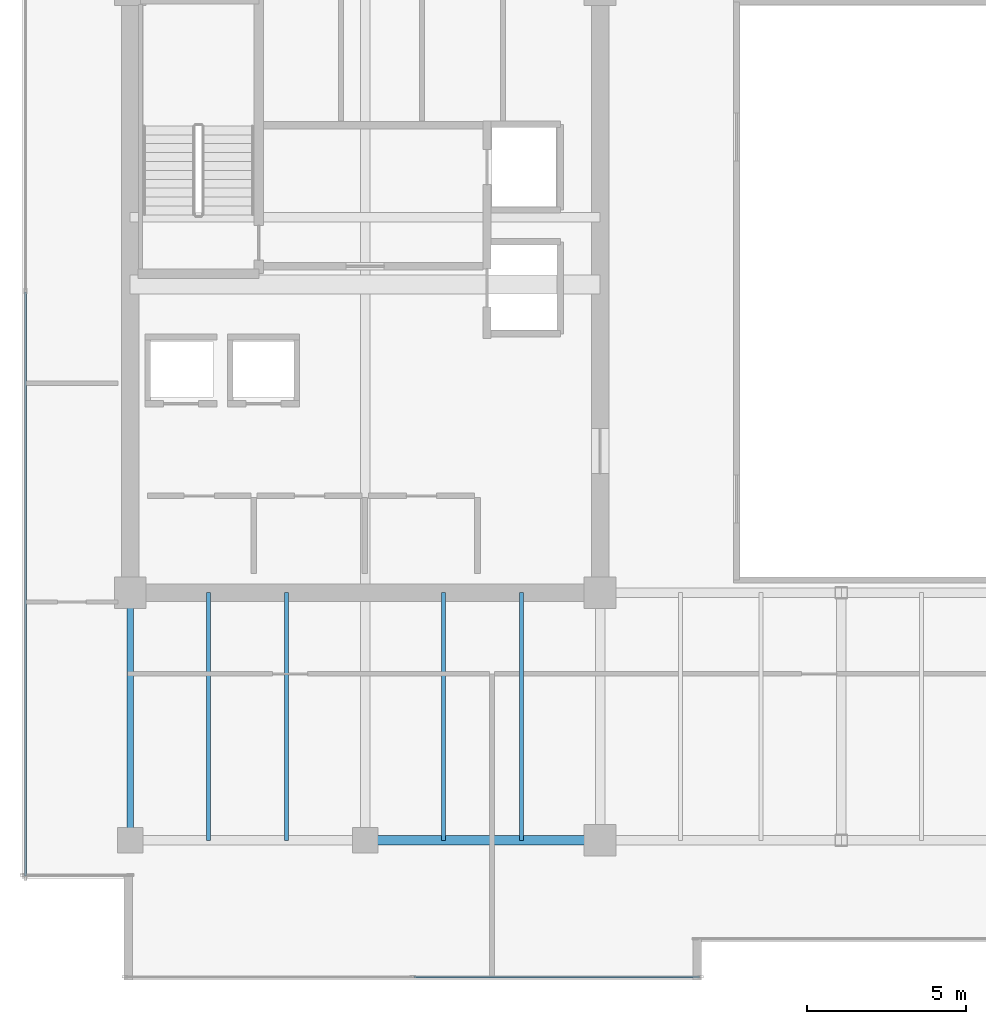
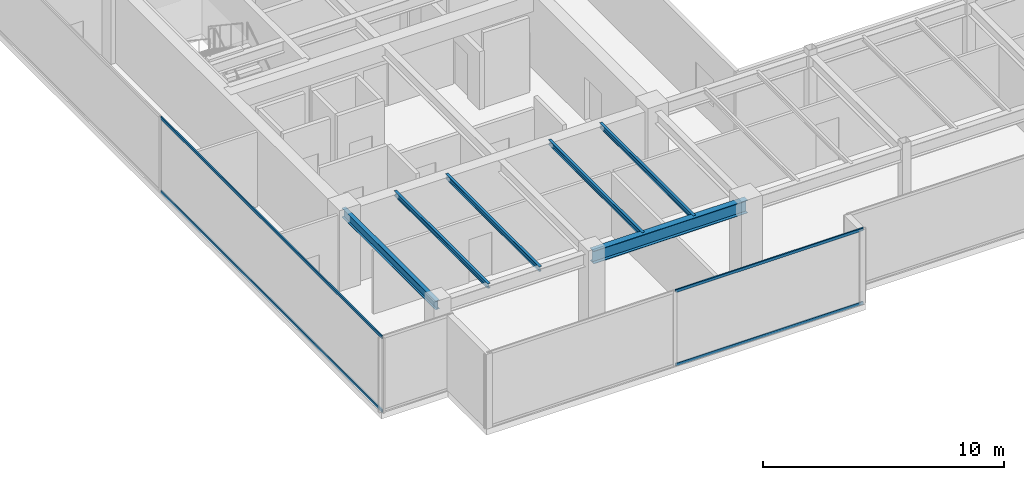
# One storey, part 6 of 33: 6 beams, 4 members, 2 elements without a shape of their own.
"""IFC4 building model written with IfcOpenShell, lengths in metres."""

import ifcopenshell
import ifcopenshell.guid

model = None  # the IFC model being written
_history = None  # IfcOwnerHistory: only IFC2X3 demands one
_inside = {}  # id of a spatial element -> (the spatial element, [elements in it])
_under = {}  # id of a project, library or spatial element -> (it, [spatial elements below it])
_declared = {}  # id of a project -> (the project, [libraries it declares])
_typed = {}  # id of a type object -> (the type object, [elements of that type])
_made_of = {}  # id of a material, layer set ... -> (it, [elements and type objects made of it])


def new_model(schema):
    """Start an empty IFC model of exactly this schema.

    Asked for "IFC4X3", IfcOpenShell would pick the latest addendum, in which some entities
    have other attributes; the version numbers below select the first issue.
    IFC2X3 requires an IfcOwnerHistory on every rooted entity: one is made here for all.
    """
    global model, _history
    if schema == "IFC4X3":
        model = ifcopenshell.file(schema_version=(4, 3, 0, 0))
    else:
        model = ifcopenshell.file(schema=schema)
    _inside.clear()
    _under.clear()
    _declared.clear()
    _typed.clear()
    _made_of.clear()
    _history = None
    if model.schema == "IFC2X3":
        org = make("IfcOrganization", Name="unknown")
        user = make(
            "IfcPersonAndOrganization",
            ThePerson=make("IfcPerson", FamilyName="unknown"),
            TheOrganization=org,
        )
        app = make(
            "IfcApplication",
            ApplicationDeveloper=org,
            Version="unknown",
            ApplicationFullName="unknown",
            ApplicationIdentifier="unknown",
        )
        _history = make(
            "IfcOwnerHistory",
            OwningUser=user,
            OwningApplication=app,
            ChangeAction="ADDED",
            CreationDate=0,
        )
    return model


def make(cls, **values):
    """One entity of the class cls with the attributes given. An attribute that is None is left unset."""
    return model.create_entity(
        cls, **{name: value for name, value in values.items() if value is not None}
    )


def rooted(cls, **values):
    """An entity with a GlobalId (a new one), such as an element, a storey or a relation."""
    return make(cls, GlobalId=ifcopenshell.guid.new(), OwnerHistory=_history, **values)


def si_unit(unit_type, name, prefix=None):
    """IfcSIUnit, for example si_unit("LENGTHUNIT", "METRE", prefix="MILLI")."""
    return make("IfcSIUnit", UnitType=unit_type, Prefix=prefix, Name=name)


def assignment(units):
    """IfcUnitAssignment: the units of a project."""
    return None if units is None else make("IfcUnitAssignment", Units=units)


def point(xyz):
    """IfcCartesianPoint."""
    return None if xyz is None else make("IfcCartesianPoint", Coordinates=xyz)


def direction(xyz):
    """IfcDirection."""
    return None if xyz is None else make("IfcDirection", DirectionRatios=xyz)


def frame(location, z_axis=None, x_axis=None):
    """IfcAxis2Placement3D, a coordinate frame: its origin and axes. An axis left out is left unset."""
    return make(
        "IfcAxis2Placement3D",
        Location=point(location),
        Axis=direction(z_axis),
        RefDirection=direction(x_axis),
    )


def frame_2d(location, x_axis=None):
    """IfcAxis2Placement2D, a coordinate frame in the plane: its origin and x axis."""
    return make(
        "IfcAxis2Placement2D", Location=point(location), RefDirection=direction(x_axis)
    )


def origin():
    """The frame at (0, 0, 0) with its axes left unset."""
    return frame((0.0, 0.0, 0.0))


def origin_2d():
    """The frame at (0, 0) in the plane with its x axis left unset."""
    return frame_2d((0.0, 0.0))


def place(relative_to, where):
    """IfcLocalPlacement: puts the frame where relative to a parent placement (None: the world)."""
    return make(
        "IfcLocalPlacement", PlacementRelTo=relative_to, RelativePlacement=where
    )


def context(
    kind, dimensions, precision=None, world=None, true_north=None, identifier=None
):
    """IfcGeometricRepresentationContext, for example the 3D "Model" context."""
    return make(
        "IfcGeometricRepresentationContext",
        ContextIdentifier=identifier,
        ContextType=kind,
        CoordinateSpaceDimension=dimensions,
        Precision=precision,
        WorldCoordinateSystem=world,
        TrueNorth=true_north,
    )


def subcontext(parent, identifier, kind, view, scale=None):
    """IfcGeometricRepresentationSubContext, for example "Body" below "Model"."""
    return make(
        "IfcGeometricRepresentationSubContext",
        ContextIdentifier=identifier,
        ContextType=kind,
        ParentContext=parent,
        TargetScale=scale,
        TargetView=view,
    )


def project(units=None, contexts=None):
    """IfcProject with its units and contexts."""
    return rooted(
        "IfcProject",
        Name="project",
        RepresentationContexts=contexts,
        UnitsInContext=assignment(units),
    )


def spatial(cls, under=None, at=None, **own):
    """A site, building, storey or space (cls), placed at a placement, below another one or the project."""
    s = rooted(cls, ObjectPlacement=at, **own)
    if under is not None:
        _under.setdefault(under.id(), (under, []))[1].append(s)
    return s


def profile(cls, at=None, kind="AREA", **sizes):
    """A parametric profile (cls). Its sizes go by their IFC names, for example OverallWidth=200.0."""
    return make(cls, ProfileType=kind, Position=at, **sizes)


def hollow_rectangle(**sizes):
    """IfcRectangleHollowProfileDef."""
    return profile("IfcRectangleHollowProfileDef", **sizes)


def i_section(**sizes):
    """IfcIShapeProfileDef."""
    return profile("IfcIShapeProfileDef", **sizes)


def extrude(swept, where, along, depth):
    """IfcExtrudedAreaSolid: the profile swept, set in the frame where, extruded along a direction by depth."""
    return make(
        "IfcExtrudedAreaSolid",
        SweptArea=swept,
        Position=where,
        ExtrudedDirection=direction(along),
        Depth=depth,
    )


def shape(context_of_items, identifier, shape_type, items):
    """IfcShapeRepresentation: the items that make up one representation, for example the "Body"."""
    return make(
        "IfcShapeRepresentation",
        ContextOfItems=context_of_items,
        RepresentationIdentifier=identifier,
        RepresentationType=shape_type,
        Items=items,
    )


def source(mapping_origin, context_of_items, identifier, shape_type, items):
    """IfcRepresentationMap: a shape defined once, which mapped items show again and again."""
    return make(
        "IfcRepresentationMap",
        MappingOrigin=mapping_origin,
        MappedRepresentation=shape(context_of_items, identifier, shape_type, items),
    )


def transform(
    local_origin,
    x_axis=None,
    y_axis=None,
    z_axis=None,
    scale=None,
    scale2=None,
    scale3=None,
    uniform=True,
):
    """IfcCartesianTransformationOperator3D, or its non-uniform kind. x_axis, y_axis, z_axis: its Axis1, 2, 3."""
    if uniform:
        return make(
            "IfcCartesianTransformationOperator3D",
            Axis1=direction(x_axis),
            Axis2=direction(y_axis),
            LocalOrigin=point(local_origin),
            Scale=scale,
            Axis3=direction(z_axis),
        )
    return make(
        "IfcCartesianTransformationOperator3DnonUniform",
        Axis1=direction(x_axis),
        Axis2=direction(y_axis),
        LocalOrigin=point(local_origin),
        Scale=scale,
        Axis3=direction(z_axis),
        Scale2=scale2,
        Scale3=scale3,
    )


def mapped(mapping_source, mapping_target):
    """IfcMappedItem: shows the shape of a source again, moved by a transform."""
    return make(
        "IfcMappedItem", MappingSource=mapping_source, MappingTarget=mapping_target
    )


def material(Name=None, Category=None):
    """IfcMaterial."""
    return make("IfcMaterial", Name=Name, Category=Category)


def layer(
    of_material, thickness, ventilated=None, Name=None, Category=None, Priority=None
):
    """IfcMaterialLayer: one layer of a wall or slab, of a material (None: an air gap)."""
    return make(
        "IfcMaterialLayer",
        Material=of_material,
        LayerThickness=thickness,
        IsVentilated=ventilated,
        Name=Name,
        Category=Category,
        Priority=Priority,
    )


def layer_set(layers, Name=None):
    """IfcMaterialLayerSet."""
    return make("IfcMaterialLayerSet", MaterialLayers=layers, LayerSetName=Name)


def material_profile(
    of_material, cross_section, Name=None, Category=None, Priority=None
):
    """IfcMaterialProfile: a cross section and its material."""
    return make(
        "IfcMaterialProfile",
        Name=Name,
        Material=of_material,
        Profile=cross_section,
        Priority=Priority,
        Category=Category,
    )


def profile_set(profiles, Name=None, composite=None):
    """IfcMaterialProfileSet."""
    return make(
        "IfcMaterialProfileSet",
        Name=Name,
        MaterialProfiles=profiles,
        CompositeProfile=composite,
    )


def made_of(thing, what):
    """Note that an element or type object is made of a material, layer set ...; save() writes the relation."""
    if what is not None:
        _made_of.setdefault(what.id(), (what, []))[1].append(thing)
    return thing


def type_object(cls, material=None, **own):
    """A type object (cls), such as IfcWallType, which elements share."""
    return made_of(rooted(cls, **own), material)


def type_shapes(of_type, sources):
    """Give a type object the sources (RepresentationMaps) that its elements show as mapped items."""
    of_type.RepresentationMaps = sources


def element(
    cls,
    number,
    at=None,
    inside=None,
    cuts=None,
    type_object=None,
    material=None,
    context=None,
    identifier="Body",
    shape_type=None,
    held_by="IfcProductDefinitionShape",
    body=None,
    shapes=None,
    **own,
):
    """One element of the class cls, such as IfcWall. Its Tag is "e" and its number.

    at: its placement. inside: the storey or other place that contains it. cuts: it is an
    opening in that element (IfcRelVoidsElement). A single representation is given by context,
    identifier, shape_type and body (its items); several are given by shapes. held_by: the class
    of the entity that holds the representations. save() writes the other relations.
    """
    e = rooted(cls, Tag="e%d" % number, ObjectPlacement=at, **own)
    if body is not None:
        shapes = [shape(context, identifier, shape_type, body)]
    if shapes is not None:
        e.Representation = make(held_by, Representations=shapes)
    if inside is not None:
        _inside.setdefault(inside.id(), (inside, []))[1].append(e)
    if cuts is not None:
        rooted(
            "IfcRelVoidsElement", RelatingBuildingElement=cuts, RelatedOpeningElement=e
        )
    if type_object is not None:
        _typed.setdefault(type_object.id(), (type_object, []))[1].append(e)
    return made_of(e, material)


def aggregate(whole, parts):
    """IfcRelAggregates: a whole, such as a stair, and the parts it consists of."""
    return rooted("IfcRelAggregates", RelatingObject=whole, RelatedObjects=parts)


def save(model, path):
    """Write the relations noted so far, then the file.

    IfcRelAggregates (storeys below a building ...), IfcRelContainedInSpatialStructure (elements
    in a storey), IfcRelDefinesByType, IfcRelAssociatesMaterial and IfcRelDeclares: one each for
    every whole, place, type object, material and project.
    """
    for whole, parts in _under.values():
        aggregate(whole, parts)
    for where, things in _inside.values():
        rooted(
            "IfcRelContainedInSpatialStructure",
            RelatedElements=things,
            RelatingStructure=where,
        )
    for kind, things in _typed.values():
        rooted("IfcRelDefinesByType", RelatedObjects=things, RelatingType=kind)
    for what, things in _made_of.values():
        rooted("IfcRelAssociatesMaterial", RelatedObjects=things, RelatingMaterial=what)
    for by, libraries in _declared.values():
        rooted("IfcRelDeclares", RelatingContext=by, RelatedDefinitions=libraries)
    model.write(path)


model = new_model("IFC4")

# Units and contexts
model_context = context("Model", 3, precision=1e-05, world=origin(), true_north=direction((0.0, 1.0)))
body_context = subcontext(model_context, "Body", "Model", "MODEL_VIEW")
ifc_project = project(units=[si_unit("LENGTHUNIT", "METRE"), si_unit("AREAUNIT", "SQUARE_METRE"), si_unit("VOLUMEUNIT", "CUBIC_METRE"), si_unit("PLANEANGLEUNIT", "RADIAN"), si_unit("MASSUNIT", "GRAM", prefix="KILO")], contexts=[model_context])

# Site, building, storey
site_placement = place(None, origin())
site = spatial("IfcSite", under=ifc_project, at=site_placement, CompositionType="ELEMENT")
building_placement = place(site_placement, origin())
building = spatial("IfcBuilding", under=site, at=building_placement, Name="Haelvirn Gate Laboratories", CompositionType="ELEMENT")
storey_placement = place(building_placement, frame((0.0, 0.0, 258.800048828125)))
storey = spatial("IfcBuildingStorey", under=building, at=storey_placement, Name="L62", CompositionType="ELEMENT", Elevation=258.800048828125)

# Beams
ifc_material_1 = material(Name="Steel SM355", Category="steel")
ifc_material_profile_1 = material_profile(ifc_material_1, i_section(OverallWidth=0.300048828125, OverallDepth=0.64990234375, WebThickness=0.012939453125, FlangeThickness=0.02197265625, at=origin_2d()), Name="H-650x300x13x22")
ifc_profile_set_1 = profile_set([ifc_material_profile_1], Name="Steel SM355")
beam_type_1 = type_object("IfcBeamType", Name="BM-G-650", PredefinedType="BEAM", material=ifc_profile_set_1)
shared_shape_1 = source(origin(), body_context, "Body", "SweptSolid", [
    extrude(i_section(OverallWidth=0.300048828125, OverallDepth=0.64990234375, WebThickness=0.012939453125, FlangeThickness=0.02197265625, at=origin_2d()), origin(), (0.0, 0.0, 1.0), 7.39990234375),
])
type_shapes(beam_type_1, [shared_shape_1])
beam_1_placement = place(storey_placement, frame((14.800048828125, 7.0, 3.474853515625), z_axis=(1.0, 0.0, 0.0), x_axis=(0.0, 1.0, 0.0)))
element("IfcBeam", 1, at=beam_1_placement, inside=storey, type_object=beam_type_1, Name="L62 Primary Girder Y7.0 (14.8-22.2)", PredefinedType="BEAM", context=body_context, shape_type="MappedRepresentation", body=[
    mapped(shared_shape_1, transform((0.0, 0.0, 0.0), scale=1.0)),
])
ifc_material_profile_2 = material_profile(ifc_material_1, i_section(OverallWidth=0.199951171875, OverallDepth=0.449951171875, WebThickness=0.009033203125, FlangeThickness=0.013916015625, at=origin_2d()), Name="H-450x200x9x14")
ifc_profile_set_2 = profile_set([ifc_material_profile_2], Name="Steel SM355")
beam_type_2 = type_object("IfcBeamType", Name="BM-SP-450", PredefinedType="SPANDREL", material=ifc_profile_set_2)
shared_shape_2 = source(origin(), body_context, "Body", "SweptSolid", [
    extrude(i_section(OverallWidth=0.199951171875, OverallDepth=0.449951171875, WebThickness=0.009033203125, FlangeThickness=0.013916015625, at=origin_2d()), origin(), (0.0, 0.0, 1.0), 7.800048828125),
])
type_shapes(beam_type_2, [shared_shape_2])
beam_2_placement = place(storey_placement, frame((7.39990234375, 7.0, 3.574951171875), z_axis=(0.0, 1.0, 0.0), x_axis=(-1.0, 0.0, 0.0)))
element("IfcBeam", 2, at=beam_2_placement, inside=storey, type_object=beam_type_2, Name="L62 Perimeter Spandrel X7.4 (7.0-14.8)", PredefinedType="SPANDREL", context=body_context, shape_type="MappedRepresentation", body=[
    mapped(shared_shape_2, transform((0.0, 0.0, 0.0), scale=1.0)),
])
ifc_material_profile_3 = material_profile(ifc_material_1, i_section(OverallWidth=0.125, OverallDepth=0.25, WebThickness=0.006103515625, FlangeThickness=0.009033203125, at=origin_2d()), Name="H-250x125x6x9")
ifc_profile_set_3 = profile_set([ifc_material_profile_3], Name="Steel SM355")
beam_type_3 = type_object("IfcBeamType", Name="BM-J-250", PredefinedType="JOIST", material=ifc_profile_set_3)
shared_shape_3 = source(origin(), body_context, "Body", "SweptSolid", [
    extrude(i_section(OverallWidth=0.125, OverallDepth=0.25, WebThickness=0.006103515625, FlangeThickness=0.009033203125, at=origin_2d()), origin(), (0.0, 0.0, 1.0), 7.800048828125),
])
type_shapes(beam_type_3, [shared_shape_3])
for number, where, z_axis, x_axis, name in (
    (3, (9.8701171875, 7.0, 3.675048828125), (0.0, 1.0, 0.0), (-1.0, 0.0, 0.0), "L62 Composite Lab Joist South X9.87"),
    (4, (12.330078125, 7.0, 3.675048828125), (0.0, 1.0, 0.0), (-1.0, 0.0, 0.0), "L62 Composite Lab Joist South X12.33"),
    (5, (17.27001953125, 7.0, 3.675048828125), (0.0, 1.0, 0.0), (-1.0, 0.0, 0.0), "L62 Composite Lab Joist South X17.27"),
    (6, (19.72998046875, 7.0, 3.675048828125), (0.0, 1.0, 0.0), (-1.0, 0.0, 0.0), "L62 Composite Lab Joist South X19.73"),
):
    element("IfcBeam", number, at=place(storey_placement, frame(where, z_axis=z_axis, x_axis=x_axis)), inside=storey, type_object=beam_type_3, Name=name, PredefinedType="JOIST", context=body_context, shape_type="MappedRepresentation", body=[
        mapped(shared_shape_3, transform((0.0, 0.0, 0.0), scale=1.0)),
    ])

# Curtain wall, members
ifc_material_2 = material(Name="Anodised bronze unitised aluminium & triple low-E glass", Category="aluminium")
ifc_layer = layer(ifc_material_2, 0.176025390625, Name="CW-SYS-4")
ifc_layer_set = layer_set([ifc_layer], Name="Anodised bronze unitised aluminium & triple low-E glass")
curtain_wall_type = type_object("IfcCurtainWallType", Name="CW-SYS-4", PredefinedType="NOTDEFINED", material=ifc_layer_set)
curtain_wall_1_placement = place(storey_placement, origin())
curtain_wall_1 = element("IfcCurtainWall", 7, at=curtain_wall_1_placement, inside=storey, type_object=curtain_wall_type, Name="L62 Unitised Curtain Wall CW-L62-P0-E00-1", PredefinedType="NOTDEFINED")
ifc_material_3 = material(Name="Extruded aluminium 6063-T6 (anodised bronze)", Category="aluminium")
ifc_material_profile_4 = material_profile(ifc_material_3, hollow_rectangle(XDim=0.06494140625, YDim=0.139892578125, WallThickness=0.00390625, at=origin_2d()), Name="CWT-140x65x4")
ifc_profile_set_4 = profile_set([ifc_material_profile_4], Name="Extruded aluminium 6063-T6 (anodised bronze)")
member_type = type_object("IfcMemberType", Name="CWT-T140", PredefinedType="USERDEFINED", material=ifc_profile_set_4)
shared_shape_4 = source(origin(), body_context, "Body", "SweptSolid", [
    extrude(hollow_rectangle(XDim=0.06494140625, YDim=0.139892578125, WallThickness=0.00390625, at=origin_2d()), origin(), (0.0, 0.0, 1.0), 8.9951171875),
])
member_1_placement = place(storey_placement, frame((16.3349609375, 2.699951171875, 0.032470703125), z_axis=(1.0, 0.0, 0.0), x_axis=(0.0, 1.0, 0.0)))
member_1 = element("IfcMember", 8, at=member_1_placement, type_object=member_type, Name="CW4 transom 2.1", ObjectType="TRANSOM", PredefinedType="USERDEFINED", context=body_context, shape_type="MappedRepresentation", body=[
    mapped(shared_shape_4, transform((0.0, 0.0, 0.0), scale=1.0)),
])
member_2_placement = place(storey_placement, frame((16.3349609375, 2.699951171875, 3.767333984375), z_axis=(1.0, 0.0, 0.0), x_axis=(0.0, 1.0, 0.0)))
member_2 = element("IfcMember", 9, at=member_2_placement, type_object=member_type, Name="CW4 transom 2.2", ObjectType="TRANSOM", PredefinedType="USERDEFINED", context=body_context, shape_type="MappedRepresentation", body=[
    mapped(shared_shape_4, transform((0.0, 0.0, 0.0), scale=1.0)),
])
aggregate(curtain_wall_1, [member_1, member_2])

curtain_wall_2_placement = place(storey_placement, origin())
curtain_wall_2 = element("IfcCurtainWall", 10, at=curtain_wall_2_placement, inside=storey, type_object=curtain_wall_type, Name="L62 Unitised Curtain Wall CW-L62-P0-E17", PredefinedType="NOTDEFINED")
shared_shape_5 = source(origin(), body_context, "Body", "SweptSolid", [
    extrude(hollow_rectangle(XDim=0.06494140625, YDim=0.139892578125, WallThickness=0.00390625, at=origin_2d()), origin(), (0.0, 0.0, 1.0), 18.394775390625),
])
type_shapes(member_type, [shared_shape_4, shared_shape_5])
member_3_placement = place(storey_placement, frame((4.10009765625, 24.264892578125, 0.032470703125), z_axis=(0.0, -1.0, 0.0), x_axis=(1.0, 0.0, 0.0)))
member_3 = element("IfcMember", 11, at=member_3_placement, type_object=member_type, Name="CW4 transom 2.1", ObjectType="TRANSOM", PredefinedType="USERDEFINED", context=body_context, shape_type="MappedRepresentation", body=[
    mapped(shared_shape_5, transform((0.0, 0.0, 0.0), scale=1.0)),
])
member_4_placement = place(storey_placement, frame((4.10009765625, 24.264892578125, 3.767333984375), z_axis=(0.0, -1.0, 0.0), x_axis=(1.0, 0.0, 0.0)))
member_4 = element("IfcMember", 12, at=member_4_placement, type_object=member_type, Name="CW4 transom 2.2", ObjectType="TRANSOM", PredefinedType="USERDEFINED", context=body_context, shape_type="MappedRepresentation", body=[
    mapped(shared_shape_5, transform((0.0, 0.0, 0.0), scale=1.0)),
])
aggregate(curtain_wall_2, [member_3, member_4])

save(model, "model.ifc")
